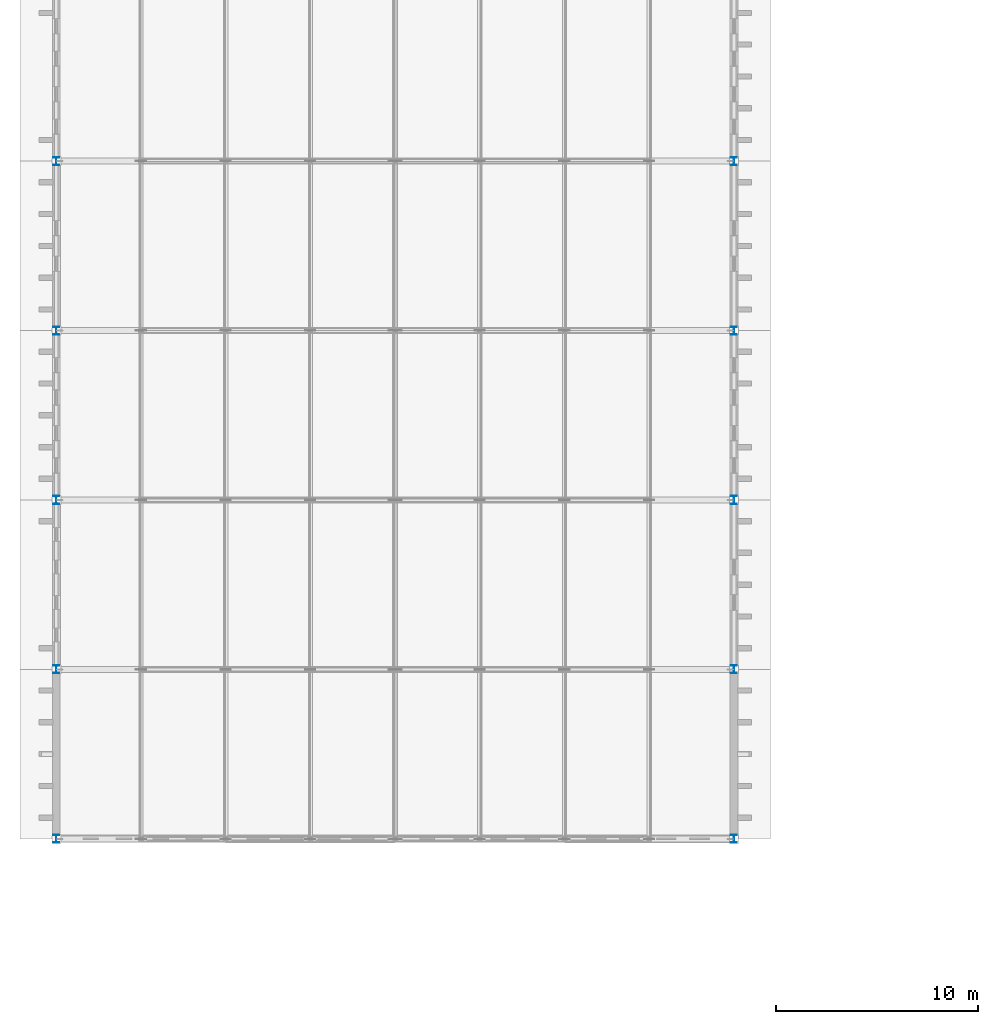
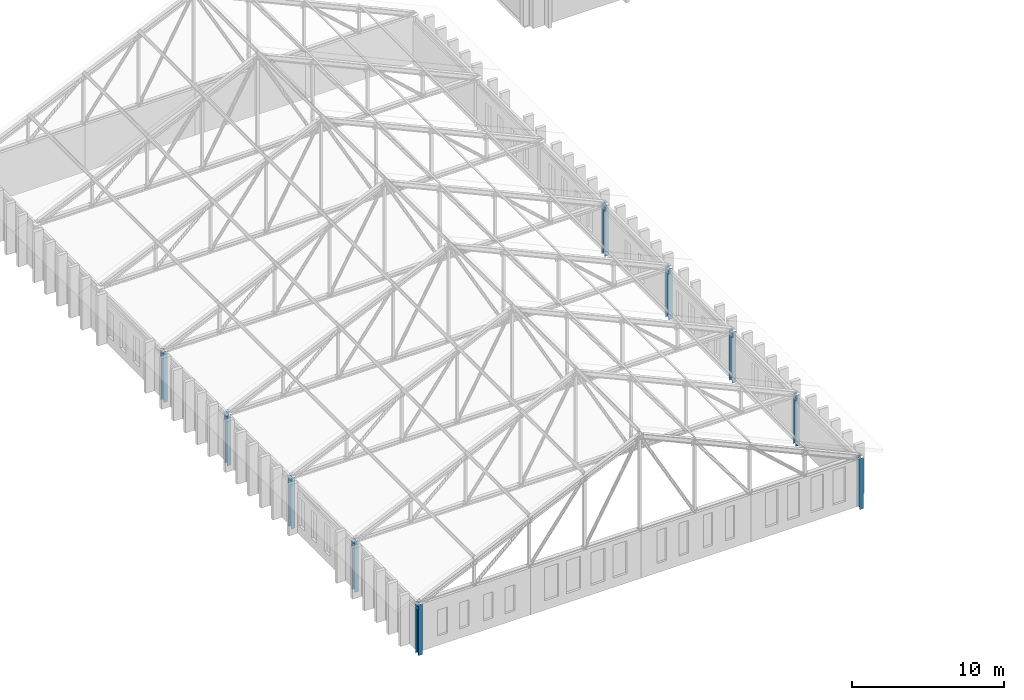
# One storey, part 1 of 110: 10 columns.
"""IFC4 building model written with IfcOpenShell, lengths in metres."""

import ifcopenshell
import ifcopenshell.guid

model = None  # the IFC model being written
_history = None  # IfcOwnerHistory: only IFC2X3 demands one
_inside = {}  # id of a spatial element -> (the spatial element, [elements in it])
_under = {}  # id of a project, library or spatial element -> (it, [spatial elements below it])
_declared = {}  # id of a project -> (the project, [libraries it declares])
_typed = {}  # id of a type object -> (the type object, [elements of that type])
_made_of = {}  # id of a material, layer set ... -> (it, [elements and type objects made of it])


def new_model(schema):
    """Start an empty IFC model of exactly this schema.

    Asked for "IFC4X3", IfcOpenShell would pick the latest addendum, in which some entities
    have other attributes; the version numbers below select the first issue.
    IFC2X3 requires an IfcOwnerHistory on every rooted entity: one is made here for all.
    """
    global model, _history
    if schema == "IFC4X3":
        model = ifcopenshell.file(schema_version=(4, 3, 0, 0))
    else:
        model = ifcopenshell.file(schema=schema)
    _inside.clear()
    _under.clear()
    _declared.clear()
    _typed.clear()
    _made_of.clear()
    _history = None
    if model.schema == "IFC2X3":
        org = make("IfcOrganization", Name="unknown")
        user = make(
            "IfcPersonAndOrganization",
            ThePerson=make("IfcPerson", FamilyName="unknown"),
            TheOrganization=org,
        )
        app = make(
            "IfcApplication",
            ApplicationDeveloper=org,
            Version="unknown",
            ApplicationFullName="unknown",
            ApplicationIdentifier="unknown",
        )
        _history = make(
            "IfcOwnerHistory",
            OwningUser=user,
            OwningApplication=app,
            ChangeAction="ADDED",
            CreationDate=0,
        )
    return model


def make(cls, **values):
    """One entity of the class cls with the attributes given. An attribute that is None is left unset."""
    return model.create_entity(
        cls, **{name: value for name, value in values.items() if value is not None}
    )


def rooted(cls, **values):
    """An entity with a GlobalId (a new one), such as an element, a storey or a relation."""
    return make(cls, GlobalId=ifcopenshell.guid.new(), OwnerHistory=_history, **values)


def si_unit(unit_type, name, prefix=None):
    """IfcSIUnit, for example si_unit("LENGTHUNIT", "METRE", prefix="MILLI")."""
    return make("IfcSIUnit", UnitType=unit_type, Prefix=prefix, Name=name)


def assignment(units):
    """IfcUnitAssignment: the units of a project."""
    return None if units is None else make("IfcUnitAssignment", Units=units)


def point(xyz):
    """IfcCartesianPoint."""
    return None if xyz is None else make("IfcCartesianPoint", Coordinates=xyz)


def direction(xyz):
    """IfcDirection."""
    return None if xyz is None else make("IfcDirection", DirectionRatios=xyz)


def frame(location, z_axis=None, x_axis=None):
    """IfcAxis2Placement3D, a coordinate frame: its origin and axes. An axis left out is left unset."""
    return make(
        "IfcAxis2Placement3D",
        Location=point(location),
        Axis=direction(z_axis),
        RefDirection=direction(x_axis),
    )


def frame_2d(location, x_axis=None):
    """IfcAxis2Placement2D, a coordinate frame in the plane: its origin and x axis."""
    return make(
        "IfcAxis2Placement2D", Location=point(location), RefDirection=direction(x_axis)
    )


def origin():
    """The frame at (0, 0, 0) with its axes left unset."""
    return frame((0.0, 0.0, 0.0))


def origin_2d():
    """The frame at (0, 0) in the plane with its x axis left unset."""
    return frame_2d((0.0, 0.0))


def place(relative_to, where):
    """IfcLocalPlacement: puts the frame where relative to a parent placement (None: the world)."""
    return make(
        "IfcLocalPlacement", PlacementRelTo=relative_to, RelativePlacement=where
    )


def context(
    kind, dimensions, precision=None, world=None, true_north=None, identifier=None
):
    """IfcGeometricRepresentationContext, for example the 3D "Model" context."""
    return make(
        "IfcGeometricRepresentationContext",
        ContextIdentifier=identifier,
        ContextType=kind,
        CoordinateSpaceDimension=dimensions,
        Precision=precision,
        WorldCoordinateSystem=world,
        TrueNorth=true_north,
    )


def subcontext(parent, identifier, kind, view, scale=None):
    """IfcGeometricRepresentationSubContext, for example "Body" below "Model"."""
    return make(
        "IfcGeometricRepresentationSubContext",
        ContextIdentifier=identifier,
        ContextType=kind,
        ParentContext=parent,
        TargetScale=scale,
        TargetView=view,
    )


def project(units=None, contexts=None):
    """IfcProject with its units and contexts."""
    return rooted(
        "IfcProject",
        Name="project",
        RepresentationContexts=contexts,
        UnitsInContext=assignment(units),
    )


def spatial(cls, under=None, at=None, **own):
    """A site, building, storey or space (cls), placed at a placement, below another one or the project."""
    s = rooted(cls, ObjectPlacement=at, **own)
    if under is not None:
        _under.setdefault(under.id(), (under, []))[1].append(s)
    return s


def profile(cls, at=None, kind="AREA", **sizes):
    """A parametric profile (cls). Its sizes go by their IFC names, for example OverallWidth=200.0."""
    return make(cls, ProfileType=kind, Position=at, **sizes)


def i_section(**sizes):
    """IfcIShapeProfileDef."""
    return profile("IfcIShapeProfileDef", **sizes)


def extrude(swept, where, along, depth):
    """IfcExtrudedAreaSolid: the profile swept, set in the frame where, extruded along a direction by depth."""
    return make(
        "IfcExtrudedAreaSolid",
        SweptArea=swept,
        Position=where,
        ExtrudedDirection=direction(along),
        Depth=depth,
    )


def shape(context_of_items, identifier, shape_type, items):
    """IfcShapeRepresentation: the items that make up one representation, for example the "Body"."""
    return make(
        "IfcShapeRepresentation",
        ContextOfItems=context_of_items,
        RepresentationIdentifier=identifier,
        RepresentationType=shape_type,
        Items=items,
    )


def material(Name=None, Category=None):
    """IfcMaterial."""
    return make("IfcMaterial", Name=Name, Category=Category)


def material_profile(
    of_material, cross_section, Name=None, Category=None, Priority=None
):
    """IfcMaterialProfile: a cross section and its material."""
    return make(
        "IfcMaterialProfile",
        Name=Name,
        Material=of_material,
        Profile=cross_section,
        Priority=Priority,
        Category=Category,
    )


def profile_set(profiles, Name=None, composite=None):
    """IfcMaterialProfileSet."""
    return make(
        "IfcMaterialProfileSet",
        Name=Name,
        MaterialProfiles=profiles,
        CompositeProfile=composite,
    )


def made_of(thing, what):
    """Note that an element or type object is made of a material, layer set ...; save() writes the relation."""
    if what is not None:
        _made_of.setdefault(what.id(), (what, []))[1].append(thing)
    return thing


def type_object(cls, material=None, **own):
    """A type object (cls), such as IfcWallType, which elements share."""
    return made_of(rooted(cls, **own), material)


def element(
    cls,
    number,
    at=None,
    inside=None,
    cuts=None,
    type_object=None,
    material=None,
    context=None,
    identifier="Body",
    shape_type=None,
    held_by="IfcProductDefinitionShape",
    body=None,
    shapes=None,
    **own,
):
    """One element of the class cls, such as IfcWall. Its Tag is "e" and its number.

    at: its placement. inside: the storey or other place that contains it. cuts: it is an
    opening in that element (IfcRelVoidsElement). A single representation is given by context,
    identifier, shape_type and body (its items); several are given by shapes. held_by: the class
    of the entity that holds the representations. save() writes the other relations.
    """
    e = rooted(cls, Tag="e%d" % number, ObjectPlacement=at, **own)
    if body is not None:
        shapes = [shape(context, identifier, shape_type, body)]
    if shapes is not None:
        e.Representation = make(held_by, Representations=shapes)
    if inside is not None:
        _inside.setdefault(inside.id(), (inside, []))[1].append(e)
    if cuts is not None:
        rooted(
            "IfcRelVoidsElement", RelatingBuildingElement=cuts, RelatedOpeningElement=e
        )
    if type_object is not None:
        _typed.setdefault(type_object.id(), (type_object, []))[1].append(e)
    return made_of(e, material)


def aggregate(whole, parts):
    """IfcRelAggregates: a whole, such as a stair, and the parts it consists of."""
    return rooted("IfcRelAggregates", RelatingObject=whole, RelatedObjects=parts)


def save(model, path):
    """Write the relations noted so far, then the file.

    IfcRelAggregates (storeys below a building ...), IfcRelContainedInSpatialStructure (elements
    in a storey), IfcRelDefinesByType, IfcRelAssociatesMaterial and IfcRelDeclares: one each for
    every whole, place, type object, material and project.
    """
    for whole, parts in _under.values():
        aggregate(whole, parts)
    for where, things in _inside.values():
        rooted(
            "IfcRelContainedInSpatialStructure",
            RelatedElements=things,
            RelatingStructure=where,
        )
    for kind, things in _typed.values():
        rooted("IfcRelDefinesByType", RelatedObjects=things, RelatingType=kind)
    for what, things in _made_of.values():
        rooted("IfcRelAssociatesMaterial", RelatedObjects=things, RelatingMaterial=what)
    for by, libraries in _declared.values():
        rooted("IfcRelDeclares", RelatingContext=by, RelatedDefinitions=libraries)
    model.write(path)


model = new_model("IFC4")

# Units and contexts
model_context = context("Model", 3, precision=1e-05, world=origin(), true_north=direction((0.0, 1.0)))
body_context = subcontext(model_context, "Body", "Model", "MODEL_VIEW")
ifc_project = project(units=[si_unit("LENGTHUNIT", "METRE"), si_unit("AREAUNIT", "SQUARE_METRE"), si_unit("VOLUMEUNIT", "CUBIC_METRE"), si_unit("PLANEANGLEUNIT", "RADIAN"), si_unit("MASSUNIT", "GRAM", prefix="KILO")], contexts=[model_context])

# Site, building, storey
site_placement = place(None, origin())
site = spatial("IfcSite", under=ifc_project, at=site_placement, CompositionType="ELEMENT")
building_placement = place(site_placement, origin())
building = spatial("IfcBuilding", under=site, at=building_placement, Name="Kveldsbrygga Polytechnic", CompositionType="ELEMENT")
storey_placement = place(building_placement, frame((0.0, 0.0, 9.860107421875)))
storey = spatial("IfcBuildingStorey", under=building, at=storey_placement, Name="L02", CompositionType="ELEMENT", Elevation=9.860107421875)

# Columns
ifc_material = material(Name="Steel S355", Category="steel")
ifc_material_profile = material_profile(ifc_material, i_section(OverallWidth=0.300048828125, OverallDepth=0.39990234375, WebThickness=0.013427734375, FlangeThickness=0.02392578125, FilletRadius=0.027099609375, at=origin_2d()), Name="HEB 400")
ifc_profile_set = profile_set([ifc_material_profile], Name="Steel S355")
column_type = type_object("IfcColumnType", Name="COL-STL-HEB400", PredefinedType="COLUMN", material=ifc_profile_set)
for number, where, z_axis, x_axis, name in (
    (1, (0.0, 25.199951171875, -0.300048828125), (0.0, 0.0, 1.0), (1.0, 0.0, 0.0), "Column COL-L02-00-03"),
    (2, (0.0, 33.60009765625, -0.300048828125), (0.0, 0.0, 1.0), (1.0, 0.0, 0.0), "Column COL-L02-00-04"),
    (3, (0.0, 42.0, -0.300048828125), (0.0, 0.0, 1.0), (1.0, 0.0, 0.0), "Column COL-L02-00-05"),
    (4, (0.0, 50.39990234375, -0.300048828125), (0.0, 0.0, 1.0), (1.0, 0.0, 0.0), "Column COL-L02-00-06"),
    (5, (0.0, 58.800048828125, -0.300048828125), (0.0, 0.0, 1.0), (1.0, 0.0, 0.0), "Column COL-L02-00-07"),
    (6, (33.60009765625, 25.199951171875, -0.300048828125), (0.0, 0.0, 1.0), (1.0, 0.0, 0.0), "Column COL-L02-04-03"),
    (7, (33.60009765625, 33.60009765625, -0.300048828125), (0.0, 0.0, 1.0), (1.0, 0.0, 0.0), "Column COL-L02-04-04"),
    (8, (33.60009765625, 42.0, -0.300048828125), (0.0, 0.0, 1.0), (1.0, 0.0, 0.0), "Column COL-L02-04-05"),
    (9, (33.60009765625, 50.39990234375, -0.300048828125), (0.0, 0.0, 1.0), (1.0, 0.0, 0.0), "Column COL-L02-04-06"),
    (10, (33.60009765625, 58.800048828125, -0.300048828125), (0.0, 0.0, 1.0), (1.0, 0.0, 0.0), "Column COL-L02-04-07"),
):
    element("IfcColumn", number, at=place(storey_placement, frame(where, z_axis=z_axis, x_axis=x_axis)), inside=storey, type_object=column_type, Name=name, PredefinedType="COLUMN", context=body_context, shape_type="SweptSolid", body=[
        extrude(i_section(OverallWidth=0.300048828125, OverallDepth=0.39990234375, WebThickness=0.013427734375, FlangeThickness=0.02392578125, FilletRadius=0.027099609375, at=origin_2d()), origin(), (0.0, 0.0, 1.0), 4.079833984375),
    ])

save(model, "model.ifc")
